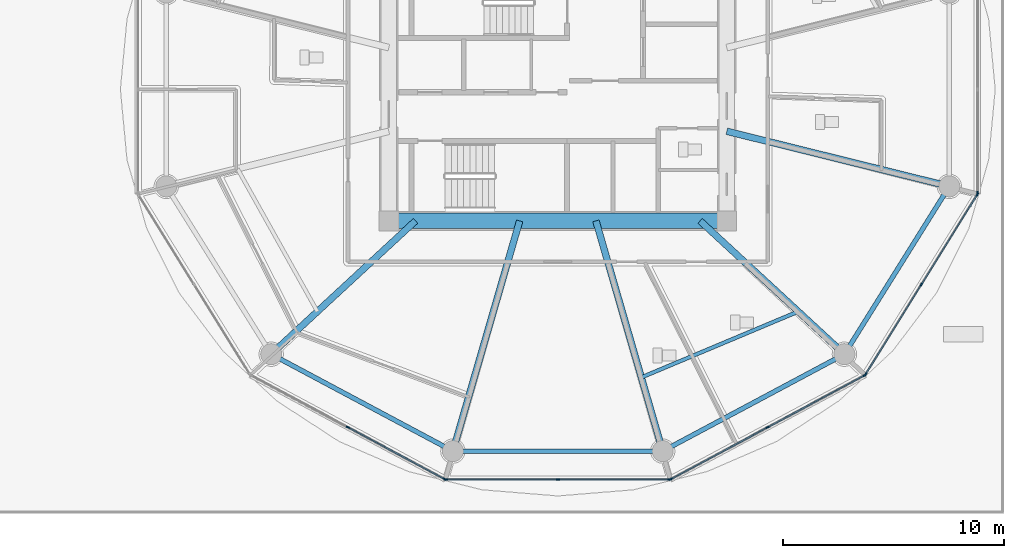
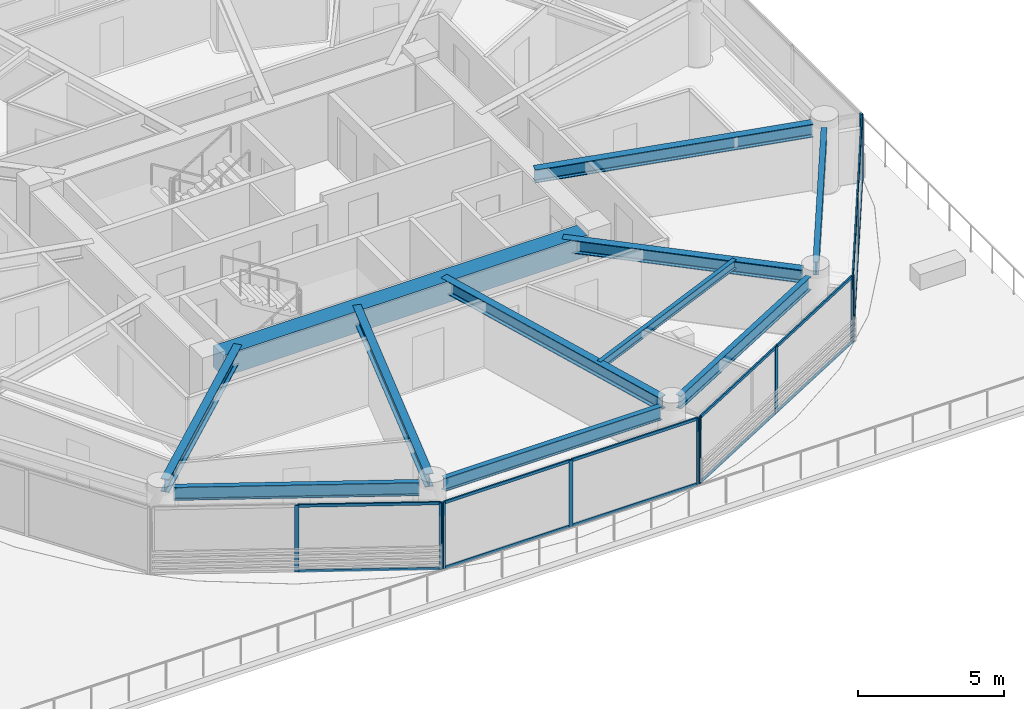
# One storey, part 10 of 32: 26 members, 11 beams, 5 elements without a shape of their own.
"""IFC4 building model written with IfcOpenShell, lengths in metres."""

from ifc_helpers import new_model, si_unit, direction, frame, origin, origin_2d, place, context, subcontext, project, spatial, rectangle, i_section, extrude, source, transform, mapped, material, layer, layer_set, material_profile, profile_set, type_object, type_shapes, element, aggregate, save


model = new_model("IFC4")

# Units and contexts
model_context = context("Model", 3, precision=1e-05, world=origin(), true_north=direction((0.0, 1.0)))
body_context = subcontext(model_context, "Body", "Model", "MODEL_VIEW")
ifc_project = project(units=[si_unit("LENGTHUNIT", "METRE"), si_unit("AREAUNIT", "SQUARE_METRE"), si_unit("VOLUMEUNIT", "CUBIC_METRE"), si_unit("PLANEANGLEUNIT", "RADIAN"), si_unit("MASSUNIT", "GRAM", prefix="KILO")], contexts=[model_context])

# Site, building, storey
site_placement = place(None, origin())
site = spatial("IfcSite", under=ifc_project, at=site_placement, CompositionType="ELEMENT")
building_placement = place(site_placement, origin())
building = spatial("IfcBuilding", under=site, at=building_placement, Name="Norrkilde Senior Care Towers", CompositionType="ELEMENT")
storey_placement = place(building_placement, frame((0.0, 0.0, 21.60009765625)))
storey = spatial("IfcBuildingStorey", under=building, at=storey_placement, Name="L05", CompositionType="ELEMENT", Elevation=21.60009765625)

# Beams
ifc_material_1 = material(Name="Concrete C60/75", Category="concrete")
ifc_material_profile_1 = material_profile(ifc_material_1, rectangle(XDim=0.699951171875, YDim=0.89990234375, at=origin_2d()), Name="RC BM 700x900")
ifc_profile_set_1 = profile_set([ifc_material_profile_1], Name="Concrete C60/75")
beam_type_1 = type_object("IfcBeamType", Name="Core Coupling Girder 700x900", PredefinedType="USERDEFINED", material=ifc_profile_set_1)
shared_shape_1 = source(origin(), body_context, "Body", "SweptSolid", [
    extrude(rectangle(XDim=0.699951171875, YDim=0.89990234375, at=origin_2d()), origin(), (0.0, 0.0, 1.0), 14.43994140625),
])
type_shapes(beam_type_1, [shared_shape_1])
beam_1_placement = place(storey_placement, frame((20.780029296875, -5.949951171875, 2.33984375), z_axis=(1.0, 0.0, 0.0), x_axis=(0.0, 1.0, 0.0)))
element("IfcBeam", 1, at=beam_1_placement, inside=storey, type_object=beam_type_1, Name="L05 Core E S Coupling Girder", ObjectType="GIRDER", PredefinedType="USERDEFINED", context=body_context, shape_type="MappedRepresentation", body=[
    mapped(shared_shape_1, transform((0.0, 0.0, 0.0), x_axis=(1.0, 0.0, 0.0), y_axis=(0.0, 1.0, 0.0), z_axis=(0.0, 0.0, 1.0), scale=1.0)),
])
ifc_material_2 = material(Name="Steel S355", Category="steel")
ifc_material_profile_2 = material_profile(ifc_material_2, i_section(OverallWidth=0.2099609375, OverallDepth=0.550048828125, WebThickness=0.010986328125, FlangeThickness=0.01708984375, FilletRadius=0.02392578125, at=origin_2d()), Name="IPE 550")
ifc_profile_set_2 = profile_set([ifc_material_profile_2], Name="Steel S355")
beam_type_2 = type_object("IfcBeamType", Name="Perimeter Ring Spandrel Z1 IPE550", PredefinedType="SPANDREL", material=ifc_profile_set_2)
shared_shape_2 = source(origin(), body_context, "Body", "SweptSolid", [
    extrude(i_section(OverallWidth=0.2099609375, OverallDepth=0.550048828125, WebThickness=0.010986328125, FlangeThickness=0.01708984375, FilletRadius=0.02392578125, at=origin_2d()), origin(), (0.0, 0.0, 1.0), 8.090576171875),
])
beam_2_placement = place(storey_placement, frame((41.2060546875, -11.61669921875, 2.514892578125), z_axis=(0.530004364821, 0.84799491347, 0.0), x_axis=(-0.84799491347, 0.530004364821, 0.0)))
element("IfcBeam", 2, at=beam_2_placement, inside=storey, type_object=beam_type_2, Name="L05 Drum E Perimeter Spandrel 11", PredefinedType="SPANDREL", context=body_context, shape_type="MappedRepresentation", body=[
    mapped(shared_shape_2, transform((0.0, 0.0, 0.0), x_axis=(1.0, 0.0, 0.0), y_axis=(0.0, 1.0, 0.0), z_axis=(0.0, 0.0, 1.0), scale=1.0)),
])
ifc_material_profile_3 = material_profile(ifc_material_2, i_section(OverallWidth=0.300048828125, OverallDepth=0.550048828125, WebThickness=0.014892578125, FlangeThickness=0.029052734375, FilletRadius=0.027099609375, at=origin_2d()), Name="HEB 550")
ifc_profile_set_3 = profile_set([ifc_material_profile_3], Name="Steel S355")
beam_type_3 = type_object("IfcBeamType", Name="Radial Floor Beam Z1 HEB550", PredefinedType="BEAM", material=ifc_profile_set_3)
shared_shape_3 = source(origin(), body_context, "Body", "SweptSolid", [
    extrude(i_section(OverallWidth=0.300048828125, OverallDepth=0.550048828125, WebThickness=0.014892578125, FlangeThickness=0.029052734375, FilletRadius=0.027099609375, at=origin_2d()), origin(), (0.0, 0.0, 1.0), 9.94384765625),
])
beam_3_placement = place(storey_placement, frame((35.64990234375, -1.893310546875, 2.514892578125), z_axis=(0.970707425182, -0.240264634718, 0.0), x_axis=(0.240264634718, 0.970707425182, 0.0)))
element("IfcBeam", 3, at=beam_3_placement, inside=storey, type_object=beam_type_3, Name="L05 Drum E Radial Floor Beam 12", PredefinedType="BEAM", context=body_context, shape_type="MappedRepresentation", body=[
    mapped(shared_shape_3, transform((0.0, 0.0, 0.0), x_axis=(1.0, 0.0, 0.0), y_axis=(0.0, 1.0, 0.0), z_axis=(0.0, 0.0, 1.0), scale=1.0)),
])
shared_shape_4 = source(origin(), body_context, "Body", "SweptSolid", [
    extrude(i_section(OverallWidth=0.2099609375, OverallDepth=0.550048828125, WebThickness=0.010986328125, FlangeThickness=0.01708984375, FilletRadius=0.02392578125, at=origin_2d()), origin(), (0.0, 0.0, 1.0), 8.452880859375),
])
for number, where, z_axis, x_axis, name in (
    (4, (15.408447265625, -12.190185546875, 2.514892578125), (0.882368931134, -0.470558252898, 0.0), (0.470558252898, 0.882368931134, 0.0), "L05 Drum E Perimeter Spandrel 08"),
    (5, (33.133056640625, -16.167724609375, 2.514892578125), (0.882368931134, 0.470558252898, 0.0), (-0.470558252898, 0.882368931134, 0.0), "L05 Drum E Perimeter Spandrel 10"),
):
    element("IfcBeam", number, at=place(storey_placement, frame(where, z_axis=z_axis, x_axis=x_axis)), inside=storey, type_object=beam_type_2, Name=name, PredefinedType="SPANDREL", context=body_context, shape_type="MappedRepresentation", body=[
        mapped(shared_shape_4, transform((0.0, 0.0, 0.0), x_axis=(1.0, 0.0, 0.0), y_axis=(0.0, 1.0, 0.0), z_axis=(0.0, 0.0, 1.0), scale=1.0)),
    ])
shared_shape_5 = source(origin(), body_context, "Body", "SweptSolid", [
    extrude(i_section(OverallWidth=0.300048828125, OverallDepth=0.550048828125, WebThickness=0.014892578125, FlangeThickness=0.029052734375, FilletRadius=0.027099609375, at=origin_2d()), origin(), (0.0, 0.0, 1.0), 8.459716796875),
])
for number, where, z_axis, x_axis, name in (
    (6, (21.55859375, -5.949951171875, 2.514892578125), (-0.734573269108, -0.678529374686, 0.0), (0.678529374686, -0.734573269108, 0.0), "L05 Drum E Radial Floor Beam 08"),
    (7, (34.44140625, -5.949951171875, 2.514892578125), (0.734573269108, -0.678529374686, 0.0), (0.678529374686, 0.734573269108, 0.0), "L05 Drum E Radial Floor Beam 11"),
):
    element("IfcBeam", number, at=place(storey_placement, frame(where, z_axis=z_axis, x_axis=x_axis)), inside=storey, type_object=beam_type_3, Name=name, PredefinedType="BEAM", context=body_context, shape_type="MappedRepresentation", body=[
        mapped(shared_shape_5, transform((0.0, 0.0, 0.0), x_axis=(1.0, 0.0, 0.0), y_axis=(0.0, 1.0, 0.0), z_axis=(0.0, 0.0, 1.0), scale=1.0)),
    ])
shared_shape_6 = source(origin(), body_context, "Body", "SweptSolid", [
    extrude(i_section(OverallWidth=0.2099609375, OverallDepth=0.550048828125, WebThickness=0.010986328125, FlangeThickness=0.01708984375, FilletRadius=0.02392578125, at=origin_2d()), origin(), (0.0, 0.0, 1.0), 8.62841796875),
])
type_shapes(beam_type_2, [shared_shape_2, shared_shape_4, shared_shape_6])
beam_4_placement = place(storey_placement, frame((23.685791015625, -16.37255859375, 2.514892578125), z_axis=(1.0, 0.0, 0.0), x_axis=(0.0, 1.0, 0.0)))
element("IfcBeam", 8, at=beam_4_placement, inside=storey, type_object=beam_type_2, Name="L05 Drum E Perimeter Spandrel 09", PredefinedType="SPANDREL", context=body_context, shape_type="MappedRepresentation", body=[
    mapped(shared_shape_6, transform((0.0, 0.0, 0.0), x_axis=(1.0, 0.0, 0.0), y_axis=(0.0, 1.0, 0.0), z_axis=(0.0, 0.0, 1.0), scale=1.0)),
])
shared_shape_7 = source(origin(), body_context, "Body", "SweptSolid", [
    extrude(i_section(OverallWidth=0.300048828125, OverallDepth=0.550048828125, WebThickness=0.014892578125, FlangeThickness=0.029052734375, FilletRadius=0.027099609375, at=origin_2d()), origin(), (0.0, 0.0, 1.0), 10.4169921875),
])
type_shapes(beam_type_3, [shared_shape_3, shared_shape_5, shared_shape_7])
for number, where, z_axis, x_axis, name in (
    (9, (26.27392578125, -5.949951171875, 2.514892578125), (-0.278591250785, -0.960409764104, 0.0), (0.960409764104, -0.278591250785, 0.0), "L05 Drum E Radial Floor Beam 09"),
    (10, (29.72607421875, -5.949951171875, 2.514892578125), (0.278591250785, -0.960409764104, 0.0), (0.960409764104, 0.278591250785, 0.0), "L05 Drum E Radial Floor Beam 10"),
):
    element("IfcBeam", number, at=place(storey_placement, frame(where, z_axis=z_axis, x_axis=x_axis)), inside=storey, type_object=beam_type_3, Name=name, PredefinedType="BEAM", context=body_context, shape_type="MappedRepresentation", body=[
        mapped(shared_shape_7, transform((0.0, 0.0, 0.0), x_axis=(1.0, 0.0, 0.0), y_axis=(0.0, 1.0, 0.0), z_axis=(0.0, 0.0, 1.0), scale=1.0)),
    ])
ifc_material_profile_4 = material_profile(ifc_material_2, i_section(OverallWidth=0.169921875, OverallDepth=0.360107421875, WebThickness=0.008056640625, FlangeThickness=0.0126953125, FilletRadius=0.01806640625, at=origin_2d()), Name="IPE 360")
ifc_profile_set_4 = profile_set([ifc_material_profile_4], Name="Steel S355")
beam_type_4 = type_object("IfcBeamType", Name="Secondary Floor Joist IPE360", PredefinedType="JOIST", material=ifc_profile_set_4)
shared_shape_8 = source(origin(), body_context, "Body", "SweptSolid", [
    extrude(i_section(OverallWidth=0.169921875, OverallDepth=0.360107421875, WebThickness=0.008056640625, FlangeThickness=0.0126953125, FilletRadius=0.01806640625, at=origin_2d()), origin(), (0.0, 0.0, 1.0), 7.703857421875),
])
type_shapes(beam_type_4, [shared_shape_8])
beam_5_placement = place(storey_placement, frame((31.78173828125, -13.037353515625, 2.60986328125), z_axis=(0.921982784465, 0.387230868023, 0.0), x_axis=(-0.387230868023, 0.921982784465, 0.0)))
element("IfcBeam", 11, at=beam_5_placement, inside=storey, type_object=beam_type_4, Name="L05 Drum E Secondary Floor Joist 4", PredefinedType="JOIST", context=body_context, shape_type="MappedRepresentation", body=[
    mapped(shared_shape_8, transform((0.0, 0.0, 0.0), x_axis=(1.0, 0.0, 0.0), y_axis=(0.0, 1.0, 0.0), z_axis=(0.0, 0.0, 1.0), scale=1.0)),
])

# Curtain wall, members
ifc_material_3 = material(Name="Triple Low-E Insulated Glazing", Category="glass")
ifc_layer = layer(ifc_material_3, 0.199951171875)
ifc_layer_set = layer_set([ifc_layer], Name="Triple Low-E Insulated Glazing")
curtain_wall_type = type_object("IfcCurtainWallType", Name="CW2 Zone 1 Memory Care Curtain Wall", PredefinedType="NOTDEFINED", material=ifc_layer_set)
curtain_wall_1_placement = place(storey_placement, origin())
curtain_wall_1 = element("IfcCurtainWall", 12, at=curtain_wall_1_placement, inside=storey, type_object=curtain_wall_type, Name="L05 Drum E Curtain Wall 07", PredefinedType="NOTDEFINED")
ifc_material_4 = material(Name="Anodised Aluminium", Category="aluminium")
ifc_material_profile_5 = material_profile(ifc_material_4, rectangle(XDim=0.06494140625, YDim=0.159912109375, at=origin_2d()), Name="ALU MULL 65x160")
ifc_profile_set_5 = profile_set([ifc_material_profile_5], Name="Anodised Aluminium")
member_type_1 = type_object("IfcMemberType", Name="Curtain Wall Mullion Z1-Z2 65x160", PredefinedType="MULLION", material=ifc_profile_set_5)
shared_shape_9 = source(origin(), body_context, "Body", "SweptSolid", [
    extrude(rectangle(XDim=0.06494140625, YDim=0.159912109375, at=origin_2d()), origin(), (0.0, 0.0, 1.0), 2.789794921875),
])
type_shapes(member_type_1, [shared_shape_9])
member_1_placement = place(storey_placement, frame((22.877685546875, -17.641845703125, 0.0), z_axis=(0.0, 0.0, 1.0), x_axis=(-0.472607802456, -0.881272866403, 0.0)))
member_1 = element("IfcMember", 13, at=member_1_placement, type_object=member_type_1, Name="CW-2 mullion 1", PredefinedType="MULLION", context=body_context, shape_type="MappedRepresentation", body=[
    mapped(shared_shape_9, transform((0.0, 0.0, 0.0), x_axis=(1.0, 0.0, 0.0), y_axis=(0.0, 1.0, 0.0), z_axis=(0.0, 0.0, 1.0), scale=1.0)),
])
member_2_placement = place(storey_placement, frame((18.495361328125, -15.29150390625, 0.0), z_axis=(0.0, 0.0, 1.0), x_axis=(-0.472607802456, -0.881272866403, 0.0)))
member_2 = element("IfcMember", 14, at=member_2_placement, type_object=member_type_1, Name="CW-2 mullion 2", PredefinedType="MULLION", context=body_context, shape_type="MappedRepresentation", body=[
    mapped(shared_shape_9, transform((0.0, 0.0, 0.0), x_axis=(1.0, 0.0, 0.0), y_axis=(0.0, 1.0, 0.0), z_axis=(0.0, 0.0, 1.0), scale=1.0)),
])

curtain_wall_2_placement = place(storey_placement, origin())
curtain_wall_2 = element("IfcCurtainWall", 15, at=curtain_wall_2_placement, inside=storey, type_object=curtain_wall_type, Name="L05 Drum E Curtain Wall 08", PredefinedType="NOTDEFINED")
member_3_placement = place(storey_placement, frame((33.06103515625, -17.6572265625, 0.0), z_axis=(0.0, 0.0, 1.0), x_axis=(0.0, -1.0, 0.0)))
member_3 = element("IfcMember", 16, at=member_3_placement, type_object=member_type_1, Name="CW-2 mullion 1", PredefinedType="MULLION", context=body_context, shape_type="MappedRepresentation", body=[
    mapped(shared_shape_9, transform((0.0, 0.0, 0.0), x_axis=(1.0, 0.0, 0.0), y_axis=(0.0, 1.0, 0.0), z_axis=(0.0, 0.0, 1.0), scale=1.0)),
])
member_4_placement = place(storey_placement, frame((28.0, -17.6572265625, 0.0), z_axis=(0.0, 0.0, 1.0), x_axis=(0.0, -1.0, 0.0)))
member_4 = element("IfcMember", 17, at=member_4_placement, type_object=member_type_1, Name="CW-2 mullion 2", PredefinedType="MULLION", context=body_context, shape_type="MappedRepresentation", body=[
    mapped(shared_shape_9, transform((0.0, 0.0, 0.0), x_axis=(1.0, 0.0, 0.0), y_axis=(0.0, 1.0, 0.0), z_axis=(0.0, 0.0, 1.0), scale=1.0)),
])
member_5_placement = place(storey_placement, frame((22.93896484375, -17.6572265625, 0.0), z_axis=(0.0, 0.0, 1.0), x_axis=(0.0, -1.0, 0.0)))
member_5 = element("IfcMember", 18, at=member_5_placement, type_object=member_type_1, Name="CW-2 mullion 3", PredefinedType="MULLION", context=body_context, shape_type="MappedRepresentation", body=[
    mapped(shared_shape_9, transform((0.0, 0.0, 0.0), x_axis=(1.0, 0.0, 0.0), y_axis=(0.0, 1.0, 0.0), z_axis=(0.0, 0.0, 1.0), scale=1.0)),
])

curtain_wall_3_placement = place(storey_placement, origin())
curtain_wall_3 = element("IfcCurtainWall", 19, at=curtain_wall_3_placement, inside=storey, type_object=curtain_wall_type, Name="L05 Drum E Curtain Wall 09", PredefinedType="NOTDEFINED")
member_6_placement = place(storey_placement, frame((41.88720703125, -12.941162109375, 0.0), z_axis=(0.0, 0.0, 1.0), x_axis=(0.472607802456, -0.881272866403, 0.0)))
member_6 = element("IfcMember", 20, at=member_6_placement, type_object=member_type_1, Name="CW-2 mullion 1", PredefinedType="MULLION", context=body_context, shape_type="MappedRepresentation", body=[
    mapped(shared_shape_9, transform((0.0, 0.0, 0.0), x_axis=(1.0, 0.0, 0.0), y_axis=(0.0, 1.0, 0.0), z_axis=(0.0, 0.0, 1.0), scale=1.0)),
])
member_7_placement = place(storey_placement, frame((37.504638671875, -15.29150390625, 0.0), z_axis=(0.0, 0.0, 1.0), x_axis=(0.472607802456, -0.881272866403, 0.0)))
member_7 = element("IfcMember", 21, at=member_7_placement, type_object=member_type_1, Name="CW-2 mullion 2", PredefinedType="MULLION", context=body_context, shape_type="MappedRepresentation", body=[
    mapped(shared_shape_9, transform((0.0, 0.0, 0.0), x_axis=(1.0, 0.0, 0.0), y_axis=(0.0, 1.0, 0.0), z_axis=(0.0, 0.0, 1.0), scale=1.0)),
])
member_8_placement = place(storey_placement, frame((33.122314453125, -17.641845703125, 0.0), z_axis=(0.0, 0.0, 1.0), x_axis=(0.472607802456, -0.881272866403, 0.0)))
member_8 = element("IfcMember", 22, at=member_8_placement, type_object=member_type_1, Name="CW-2 mullion 3", PredefinedType="MULLION", context=body_context, shape_type="MappedRepresentation", body=[
    mapped(shared_shape_9, transform((0.0, 0.0, 0.0), x_axis=(1.0, 0.0, 0.0), y_axis=(0.0, 1.0, 0.0), z_axis=(0.0, 0.0, 1.0), scale=1.0)),
])

curtain_wall_4_placement = place(storey_placement, origin())
curtain_wall_4 = element("IfcCurtainWall", 23, at=curtain_wall_4_placement, inside=storey, type_object=curtain_wall_type, Name="L05 Drum E Curtain Wall 10", PredefinedType="NOTDEFINED")
member_9_placement = place(storey_placement, frame((46.9921875, -4.7587890625, 0.0), z_axis=(0.0, 0.0, 1.0), x_axis=(0.849305943117, -0.527900951871, 0.0)))
member_9 = element("IfcMember", 24, at=member_9_placement, type_object=member_type_1, Name="CW-2 mullion 1", PredefinedType="MULLION", context=body_context, shape_type="MappedRepresentation", body=[
    mapped(shared_shape_9, transform((0.0, 0.0, 0.0), x_axis=(1.0, 0.0, 0.0), y_axis=(0.0, 1.0, 0.0), z_axis=(0.0, 0.0, 1.0), scale=1.0)),
])
member_10_placement = place(storey_placement, frame((44.462646484375, -8.82861328125, 0.0), z_axis=(0.0, 0.0, 1.0), x_axis=(0.849305943117, -0.527900951871, 0.0)))
member_10 = element("IfcMember", 25, at=member_10_placement, type_object=member_type_1, Name="CW-2 mullion 2", PredefinedType="MULLION", context=body_context, shape_type="MappedRepresentation", body=[
    mapped(shared_shape_9, transform((0.0, 0.0, 0.0), x_axis=(1.0, 0.0, 0.0), y_axis=(0.0, 1.0, 0.0), z_axis=(0.0, 0.0, 1.0), scale=1.0)),
])
member_11_placement = place(storey_placement, frame((41.93310546875, -12.898193359375, 0.0), z_axis=(0.0, 0.0, 1.0), x_axis=(0.849305943117, -0.527900951871, 0.0)))
member_11 = element("IfcMember", 26, at=member_11_placement, type_object=member_type_1, Name="CW-2 mullion 3", PredefinedType="MULLION", context=body_context, shape_type="MappedRepresentation", body=[
    mapped(shared_shape_9, transform((0.0, 0.0, 0.0), x_axis=(1.0, 0.0, 0.0), y_axis=(0.0, 1.0, 0.0), z_axis=(0.0, 0.0, 1.0), scale=1.0)),
])

# Curtain wall, member
curtain_wall_5_placement = place(storey_placement, origin())
curtain_wall_5 = element("IfcCurtainWall", 27, at=curtain_wall_5_placement, inside=storey, type_object=curtain_wall_type, Name="L05 Drum E Curtain Wall 11", PredefinedType="NOTDEFINED")
member_12_placement = place(storey_placement, frame((47.009521484375, -4.69873046875, 0.0), z_axis=(0.0, 0.0, 1.0), x_axis=(1.0, 0.0, 0.0)))
member_12 = element("IfcMember", 28, at=member_12_placement, type_object=member_type_1, Name="CW-2 mullion 3", PredefinedType="MULLION", context=body_context, shape_type="MappedRepresentation", body=[
    mapped(shared_shape_9, transform((0.0, 0.0, 0.0), x_axis=(1.0, 0.0, 0.0), y_axis=(0.0, 1.0, 0.0), z_axis=(0.0, 0.0, 1.0), scale=1.0)),
])
aggregate(curtain_wall_5, [member_12])

# Member
ifc_material_profile_6 = material_profile(ifc_material_4, rectangle(XDim=0.06005859375, YDim=0.1201171875, at=origin_2d()), Name="ALU TRAN 60x120")
ifc_profile_set_6 = profile_set([ifc_material_profile_6], Name="Anodised Aluminium")
member_type_2 = type_object("IfcMemberType", Name="Curtain Wall Transom Typical 60x120", PredefinedType="USERDEFINED", material=ifc_profile_set_6)
shared_shape_10 = source(origin(), body_context, "Body", "SweptSolid", [
    extrude(rectangle(XDim=0.06005859375, YDim=0.1201171875, at=origin_2d()), origin(), (0.0, 0.0, 1.0), 4.907958984375),
])
member_13_placement = place(storey_placement, frame((22.84912109375, -17.62646484375, 0.02978515625), z_axis=(-0.881266902561, 0.472618923077, 0.0), x_axis=(-0.472618923077, -0.881266902561, 0.0)))
member_13 = element("IfcMember", 29, at=member_13_placement, type_object=member_type_2, Name="CW-2 transom 1.1", ObjectType="TRANSOM", PredefinedType="USERDEFINED", context=body_context, shape_type="MappedRepresentation", body=[
    mapped(shared_shape_10, transform((0.0, 0.0, 0.0), x_axis=(1.0, 0.0, 0.0), y_axis=(0.0, 1.0, 0.0), z_axis=(0.0, 0.0, 1.0), scale=1.0)),
])

member_14_placement = place(storey_placement, frame((22.84912109375, -17.62646484375, 2.760009765625), z_axis=(-0.881266902561, 0.472618923077, 0.0), x_axis=(-0.472618923077, -0.881266902561, 0.0)))
member_14 = element("IfcMember", 30, at=member_14_placement, type_object=member_type_2, Name="CW-2 transom 1.2", ObjectType="TRANSOM", PredefinedType="USERDEFINED", context=body_context, shape_type="MappedRepresentation", body=[
    mapped(shared_shape_10, transform((0.0, 0.0, 0.0), x_axis=(1.0, 0.0, 0.0), y_axis=(0.0, 1.0, 0.0), z_axis=(0.0, 0.0, 1.0), scale=1.0)),
])

aggregate(curtain_wall_1, [member_1, member_2, member_13, member_14])

member_15_placement = place(storey_placement, frame((41.858642578125, -12.95654296875, 0.02978515625), z_axis=(-0.881266902561, -0.472618923077, 0.0), x_axis=(0.472618923077, -0.881266902561, 0.0)))
member_15 = element("IfcMember", 31, at=member_15_placement, type_object=member_type_2, Name="CW-2 transom 1.1", ObjectType="TRANSOM", PredefinedType="USERDEFINED", context=body_context, shape_type="MappedRepresentation", body=[
    mapped(shared_shape_10, transform((0.0, 0.0, 0.0), x_axis=(1.0, 0.0, 0.0), y_axis=(0.0, 1.0, 0.0), z_axis=(0.0, 0.0, 1.0), scale=1.0)),
])

member_16_placement = place(storey_placement, frame((41.858642578125, -12.95654296875, 2.760009765625), z_axis=(-0.881266902561, -0.472618923077, 0.0), x_axis=(0.472618923077, -0.881266902561, 0.0)))
member_16 = element("IfcMember", 32, at=member_16_placement, type_object=member_type_2, Name="CW-2 transom 1.2", ObjectType="TRANSOM", PredefinedType="USERDEFINED", context=body_context, shape_type="MappedRepresentation", body=[
    mapped(shared_shape_10, transform((0.0, 0.0, 0.0), x_axis=(1.0, 0.0, 0.0), y_axis=(0.0, 1.0, 0.0), z_axis=(0.0, 0.0, 1.0), scale=1.0)),
])

member_17_placement = place(storey_placement, frame((37.47607421875, -15.306884765625, 0.02978515625), z_axis=(-0.881266902561, -0.472618923077, 0.0), x_axis=(0.472618923077, -0.881266902561, 0.0)))
member_17 = element("IfcMember", 33, at=member_17_placement, type_object=member_type_2, Name="CW-2 transom 2.1", ObjectType="TRANSOM", PredefinedType="USERDEFINED", context=body_context, shape_type="MappedRepresentation", body=[
    mapped(shared_shape_10, transform((0.0, 0.0, 0.0), x_axis=(1.0, 0.0, 0.0), y_axis=(0.0, 1.0, 0.0), z_axis=(0.0, 0.0, 1.0), scale=1.0)),
])

member_18_placement = place(storey_placement, frame((37.47607421875, -15.306884765625, 2.760009765625), z_axis=(-0.881266902561, -0.472618923077, 0.0), x_axis=(0.472618923077, -0.881266902561, 0.0)))
member_18 = element("IfcMember", 34, at=member_18_placement, type_object=member_type_2, Name="CW-2 transom 2.2", ObjectType="TRANSOM", PredefinedType="USERDEFINED", context=body_context, shape_type="MappedRepresentation", body=[
    mapped(shared_shape_10, transform((0.0, 0.0, 0.0), x_axis=(1.0, 0.0, 0.0), y_axis=(0.0, 1.0, 0.0), z_axis=(0.0, 0.0, 1.0), scale=1.0)),
])

aggregate(curtain_wall_3, [member_6, member_7, member_8, member_15, member_16, member_17, member_18])

shared_shape_11 = source(origin(), body_context, "Body", "SweptSolid", [
    extrude(rectangle(XDim=0.06005859375, YDim=0.1201171875, at=origin_2d()), origin(), (0.0, 0.0, 1.0), 4.99609375),
])
member_19_placement = place(storey_placement, frame((33.028564453125, -17.6572265625, 0.02978515625), z_axis=(-1.0, 0.0, 0.0), x_axis=(0.0, -1.0, 0.0)))
member_19 = element("IfcMember", 35, at=member_19_placement, type_object=member_type_2, Name="CW-2 transom 1.1", ObjectType="TRANSOM", PredefinedType="USERDEFINED", context=body_context, shape_type="MappedRepresentation", body=[
    mapped(shared_shape_11, transform((0.0, 0.0, 0.0), x_axis=(1.0, 0.0, 0.0), y_axis=(0.0, 1.0, 0.0), z_axis=(0.0, 0.0, 1.0), scale=1.0)),
])

member_20_placement = place(storey_placement, frame((33.028564453125, -17.6572265625, 2.760009765625), z_axis=(-1.0, 0.0, 0.0), x_axis=(0.0, -1.0, 0.0)))
member_20 = element("IfcMember", 36, at=member_20_placement, type_object=member_type_2, Name="CW-2 transom 1.2", ObjectType="TRANSOM", PredefinedType="USERDEFINED", context=body_context, shape_type="MappedRepresentation", body=[
    mapped(shared_shape_11, transform((0.0, 0.0, 0.0), x_axis=(1.0, 0.0, 0.0), y_axis=(0.0, 1.0, 0.0), z_axis=(0.0, 0.0, 1.0), scale=1.0)),
])

member_21_placement = place(storey_placement, frame((27.967529296875, -17.6572265625, 0.02978515625), z_axis=(-1.0, 0.0, 0.0), x_axis=(0.0, -1.0, 0.0)))
member_21 = element("IfcMember", 37, at=member_21_placement, type_object=member_type_2, Name="CW-2 transom 2.1", ObjectType="TRANSOM", PredefinedType="USERDEFINED", context=body_context, shape_type="MappedRepresentation", body=[
    mapped(shared_shape_11, transform((0.0, 0.0, 0.0), x_axis=(1.0, 0.0, 0.0), y_axis=(0.0, 1.0, 0.0), z_axis=(0.0, 0.0, 1.0), scale=1.0)),
])

member_22_placement = place(storey_placement, frame((27.967529296875, -17.6572265625, 2.760009765625), z_axis=(-1.0, 0.0, 0.0), x_axis=(0.0, -1.0, 0.0)))
member_22 = element("IfcMember", 38, at=member_22_placement, type_object=member_type_2, Name="CW-2 transom 2.2", ObjectType="TRANSOM", PredefinedType="USERDEFINED", context=body_context, shape_type="MappedRepresentation", body=[
    mapped(shared_shape_11, transform((0.0, 0.0, 0.0), x_axis=(1.0, 0.0, 0.0), y_axis=(0.0, 1.0, 0.0), z_axis=(0.0, 0.0, 1.0), scale=1.0)),
])

aggregate(curtain_wall_2, [member_3, member_4, member_5, member_19, member_20, member_21, member_22])

shared_shape_12 = source(origin(), body_context, "Body", "SweptSolid", [
    extrude(rectangle(XDim=0.06005859375, YDim=0.1201171875, at=origin_2d()), origin(), (0.0, 0.0, 1.0), 4.72705078125),
])
member_23_placement = place(storey_placement, frame((46.97509765625, -4.786376953125, 0.02978515625), z_axis=(-0.527898881076, -0.849307230252, 0.0), x_axis=(0.849307230252, -0.527898881076, 0.0)))
member_23 = element("IfcMember", 39, at=member_23_placement, type_object=member_type_2, Name="CW-2 transom 1.1", ObjectType="TRANSOM", PredefinedType="USERDEFINED", context=body_context, shape_type="MappedRepresentation", body=[
    mapped(shared_shape_12, transform((0.0, 0.0, 0.0), x_axis=(1.0, 0.0, 0.0), y_axis=(0.0, 1.0, 0.0), z_axis=(0.0, 0.0, 1.0), scale=1.0)),
])

member_24_placement = place(storey_placement, frame((46.97509765625, -4.786376953125, 2.760009765625), z_axis=(-0.527898881076, -0.849307230252, 0.0), x_axis=(0.849307230252, -0.527898881076, 0.0)))
member_24 = element("IfcMember", 40, at=member_24_placement, type_object=member_type_2, Name="CW-2 transom 1.2", ObjectType="TRANSOM", PredefinedType="USERDEFINED", context=body_context, shape_type="MappedRepresentation", body=[
    mapped(shared_shape_12, transform((0.0, 0.0, 0.0), x_axis=(1.0, 0.0, 0.0), y_axis=(0.0, 1.0, 0.0), z_axis=(0.0, 0.0, 1.0), scale=1.0)),
])

shared_shape_13 = source(origin(), body_context, "Body", "SweptSolid", [
    extrude(rectangle(XDim=0.06005859375, YDim=0.1201171875, at=origin_2d()), origin(), (0.0, 0.0, 1.0), 4.726806640625),
])
type_shapes(member_type_2, [shared_shape_10, shared_shape_11, shared_shape_12, shared_shape_13])
member_25_placement = place(storey_placement, frame((44.445556640625, -8.856201171875, 0.02978515625), z_axis=(-0.527922038395, -0.849292836056, 0.0), x_axis=(0.849292836056, -0.527922038395, 0.0)))
member_25 = element("IfcMember", 41, at=member_25_placement, type_object=member_type_2, Name="CW-2 transom 2.1", ObjectType="TRANSOM", PredefinedType="USERDEFINED", context=body_context, shape_type="MappedRepresentation", body=[
    mapped(shared_shape_13, transform((0.0, 0.0, 0.0), x_axis=(1.0, 0.0, 0.0), y_axis=(0.0, 1.0, 0.0), z_axis=(0.0, 0.0, 1.0), scale=1.0)),
])

member_26_placement = place(storey_placement, frame((44.445556640625, -8.856201171875, 2.760009765625), z_axis=(-0.527922038395, -0.849292836056, 0.0), x_axis=(0.849292836056, -0.527922038395, 0.0)))
member_26 = element("IfcMember", 42, at=member_26_placement, type_object=member_type_2, Name="CW-2 transom 2.2", ObjectType="TRANSOM", PredefinedType="USERDEFINED", context=body_context, shape_type="MappedRepresentation", body=[
    mapped(shared_shape_13, transform((0.0, 0.0, 0.0), x_axis=(1.0, 0.0, 0.0), y_axis=(0.0, 1.0, 0.0), z_axis=(0.0, 0.0, 1.0), scale=1.0)),
])

aggregate(curtain_wall_4, [member_9, member_10, member_11, member_23, member_24, member_25, member_26])

save(model, "model.ifc")
